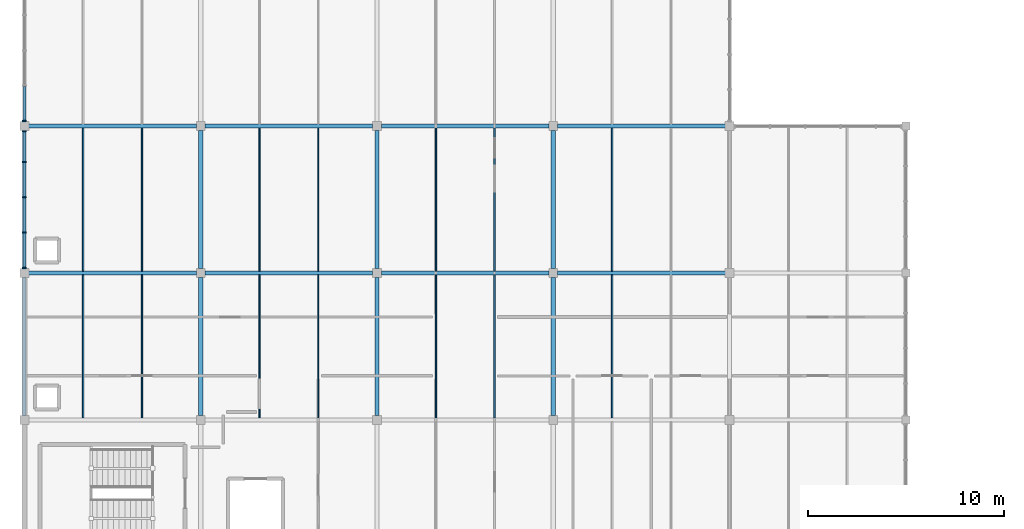
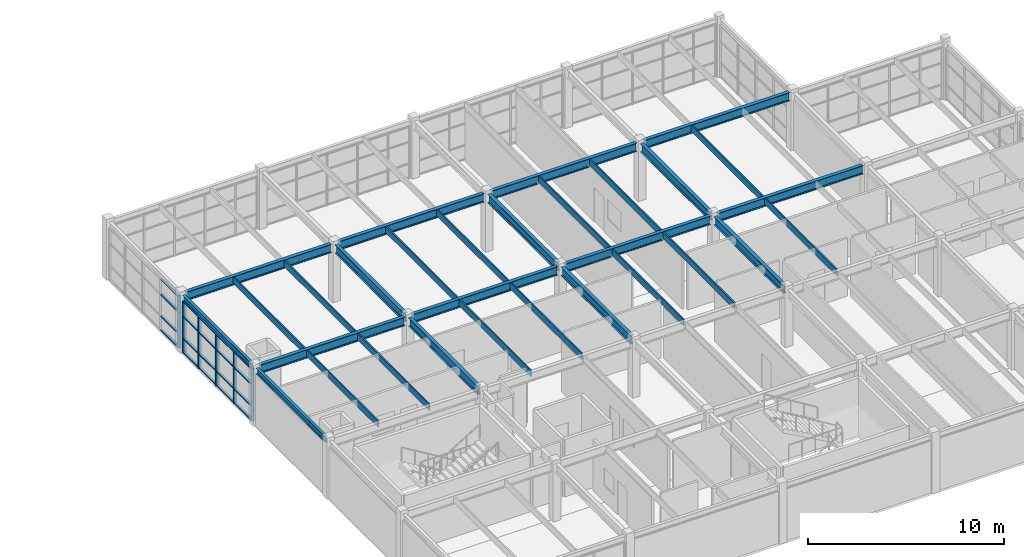
# One storey, part 4 of 81: 30 beams, 26 members, 2 elements without a shape of their own.
"""IFC4 building model written with IfcOpenShell, lengths in metres."""

import ifcopenshell
import ifcopenshell.guid

model = None  # the IFC model being written
_history = None  # IfcOwnerHistory: only IFC2X3 demands one
_inside = {}  # id of a spatial element -> (the spatial element, [elements in it])
_under = {}  # id of a project, library or spatial element -> (it, [spatial elements below it])
_declared = {}  # id of a project -> (the project, [libraries it declares])
_typed = {}  # id of a type object -> (the type object, [elements of that type])
_made_of = {}  # id of a material, layer set ... -> (it, [elements and type objects made of it])


def new_model(schema):
    """Start an empty IFC model of exactly this schema.

    Asked for "IFC4X3", IfcOpenShell would pick the latest addendum, in which some entities
    have other attributes; the version numbers below select the first issue.
    IFC2X3 requires an IfcOwnerHistory on every rooted entity: one is made here for all.
    """
    global model, _history
    if schema == "IFC4X3":
        model = ifcopenshell.file(schema_version=(4, 3, 0, 0))
    else:
        model = ifcopenshell.file(schema=schema)
    _inside.clear()
    _under.clear()
    _declared.clear()
    _typed.clear()
    _made_of.clear()
    _history = None
    if model.schema == "IFC2X3":
        org = make("IfcOrganization", Name="unknown")
        user = make(
            "IfcPersonAndOrganization",
            ThePerson=make("IfcPerson", FamilyName="unknown"),
            TheOrganization=org,
        )
        app = make(
            "IfcApplication",
            ApplicationDeveloper=org,
            Version="unknown",
            ApplicationFullName="unknown",
            ApplicationIdentifier="unknown",
        )
        _history = make(
            "IfcOwnerHistory",
            OwningUser=user,
            OwningApplication=app,
            ChangeAction="ADDED",
            CreationDate=0,
        )
    return model


def make(cls, **values):
    """One entity of the class cls with the attributes given. An attribute that is None is left unset."""
    return model.create_entity(
        cls, **{name: value for name, value in values.items() if value is not None}
    )


def rooted(cls, **values):
    """An entity with a GlobalId (a new one), such as an element, a storey or a relation."""
    return make(cls, GlobalId=ifcopenshell.guid.new(), OwnerHistory=_history, **values)


def si_unit(unit_type, name, prefix=None):
    """IfcSIUnit, for example si_unit("LENGTHUNIT", "METRE", prefix="MILLI")."""
    return make("IfcSIUnit", UnitType=unit_type, Prefix=prefix, Name=name)


def assignment(units):
    """IfcUnitAssignment: the units of a project."""
    return None if units is None else make("IfcUnitAssignment", Units=units)


def point(xyz):
    """IfcCartesianPoint."""
    return None if xyz is None else make("IfcCartesianPoint", Coordinates=xyz)


def direction(xyz):
    """IfcDirection."""
    return None if xyz is None else make("IfcDirection", DirectionRatios=xyz)


def frame(location, z_axis=None, x_axis=None):
    """IfcAxis2Placement3D, a coordinate frame: its origin and axes. An axis left out is left unset."""
    return make(
        "IfcAxis2Placement3D",
        Location=point(location),
        Axis=direction(z_axis),
        RefDirection=direction(x_axis),
    )


def frame_2d(location, x_axis=None):
    """IfcAxis2Placement2D, a coordinate frame in the plane: its origin and x axis."""
    return make(
        "IfcAxis2Placement2D", Location=point(location), RefDirection=direction(x_axis)
    )


def origin():
    """The frame at (0, 0, 0) with its axes left unset."""
    return frame((0.0, 0.0, 0.0))


def origin_2d():
    """The frame at (0, 0) in the plane with its x axis left unset."""
    return frame_2d((0.0, 0.0))


def place(relative_to, where):
    """IfcLocalPlacement: puts the frame where relative to a parent placement (None: the world)."""
    return make(
        "IfcLocalPlacement", PlacementRelTo=relative_to, RelativePlacement=where
    )


def context(
    kind, dimensions, precision=None, world=None, true_north=None, identifier=None
):
    """IfcGeometricRepresentationContext, for example the 3D "Model" context."""
    return make(
        "IfcGeometricRepresentationContext",
        ContextIdentifier=identifier,
        ContextType=kind,
        CoordinateSpaceDimension=dimensions,
        Precision=precision,
        WorldCoordinateSystem=world,
        TrueNorth=true_north,
    )


def subcontext(parent, identifier, kind, view, scale=None):
    """IfcGeometricRepresentationSubContext, for example "Body" below "Model"."""
    return make(
        "IfcGeometricRepresentationSubContext",
        ContextIdentifier=identifier,
        ContextType=kind,
        ParentContext=parent,
        TargetScale=scale,
        TargetView=view,
    )


def project(units=None, contexts=None):
    """IfcProject with its units and contexts."""
    return rooted(
        "IfcProject",
        Name="project",
        RepresentationContexts=contexts,
        UnitsInContext=assignment(units),
    )


def spatial(cls, under=None, at=None, **own):
    """A site, building, storey or space (cls), placed at a placement, below another one or the project."""
    s = rooted(cls, ObjectPlacement=at, **own)
    if under is not None:
        _under.setdefault(under.id(), (under, []))[1].append(s)
    return s


def profile(cls, at=None, kind="AREA", **sizes):
    """A parametric profile (cls). Its sizes go by their IFC names, for example OverallWidth=200.0."""
    return make(cls, ProfileType=kind, Position=at, **sizes)


def rectangle(**sizes):
    """IfcRectangleProfileDef."""
    return profile("IfcRectangleProfileDef", **sizes)


def i_section(**sizes):
    """IfcIShapeProfileDef."""
    return profile("IfcIShapeProfileDef", **sizes)


def extrude(swept, where, along, depth):
    """IfcExtrudedAreaSolid: the profile swept, set in the frame where, extruded along a direction by depth."""
    return make(
        "IfcExtrudedAreaSolid",
        SweptArea=swept,
        Position=where,
        ExtrudedDirection=direction(along),
        Depth=depth,
    )


def shape(context_of_items, identifier, shape_type, items):
    """IfcShapeRepresentation: the items that make up one representation, for example the "Body"."""
    return make(
        "IfcShapeRepresentation",
        ContextOfItems=context_of_items,
        RepresentationIdentifier=identifier,
        RepresentationType=shape_type,
        Items=items,
    )


def material(Name=None, Category=None):
    """IfcMaterial."""
    return make("IfcMaterial", Name=Name, Category=Category)


def layer(
    of_material, thickness, ventilated=None, Name=None, Category=None, Priority=None
):
    """IfcMaterialLayer: one layer of a wall or slab, of a material (None: an air gap)."""
    return make(
        "IfcMaterialLayer",
        Material=of_material,
        LayerThickness=thickness,
        IsVentilated=ventilated,
        Name=Name,
        Category=Category,
        Priority=Priority,
    )


def layer_set(layers, Name=None):
    """IfcMaterialLayerSet."""
    return make("IfcMaterialLayerSet", MaterialLayers=layers, LayerSetName=Name)


def material_profile(
    of_material, cross_section, Name=None, Category=None, Priority=None
):
    """IfcMaterialProfile: a cross section and its material."""
    return make(
        "IfcMaterialProfile",
        Name=Name,
        Material=of_material,
        Profile=cross_section,
        Priority=Priority,
        Category=Category,
    )


def profile_set(profiles, Name=None, composite=None):
    """IfcMaterialProfileSet."""
    return make(
        "IfcMaterialProfileSet",
        Name=Name,
        MaterialProfiles=profiles,
        CompositeProfile=composite,
    )


def made_of(thing, what):
    """Note that an element or type object is made of a material, layer set ...; save() writes the relation."""
    if what is not None:
        _made_of.setdefault(what.id(), (what, []))[1].append(thing)
    return thing


def type_object(cls, material=None, **own):
    """A type object (cls), such as IfcWallType, which elements share."""
    return made_of(rooted(cls, **own), material)


def element(
    cls,
    number,
    at=None,
    inside=None,
    cuts=None,
    type_object=None,
    material=None,
    context=None,
    identifier="Body",
    shape_type=None,
    held_by="IfcProductDefinitionShape",
    body=None,
    shapes=None,
    **own,
):
    """One element of the class cls, such as IfcWall. Its Tag is "e" and its number.

    at: its placement. inside: the storey or other place that contains it. cuts: it is an
    opening in that element (IfcRelVoidsElement). A single representation is given by context,
    identifier, shape_type and body (its items); several are given by shapes. held_by: the class
    of the entity that holds the representations. save() writes the other relations.
    """
    e = rooted(cls, Tag="e%d" % number, ObjectPlacement=at, **own)
    if body is not None:
        shapes = [shape(context, identifier, shape_type, body)]
    if shapes is not None:
        e.Representation = make(held_by, Representations=shapes)
    if inside is not None:
        _inside.setdefault(inside.id(), (inside, []))[1].append(e)
    if cuts is not None:
        rooted(
            "IfcRelVoidsElement", RelatingBuildingElement=cuts, RelatedOpeningElement=e
        )
    if type_object is not None:
        _typed.setdefault(type_object.id(), (type_object, []))[1].append(e)
    return made_of(e, material)


def aggregate(whole, parts):
    """IfcRelAggregates: a whole, such as a stair, and the parts it consists of."""
    return rooted("IfcRelAggregates", RelatingObject=whole, RelatedObjects=parts)


def save(model, path):
    """Write the relations noted so far, then the file.

    IfcRelAggregates (storeys below a building ...), IfcRelContainedInSpatialStructure (elements
    in a storey), IfcRelDefinesByType, IfcRelAssociatesMaterial and IfcRelDeclares: one each for
    every whole, place, type object, material and project.
    """
    for whole, parts in _under.values():
        aggregate(whole, parts)
    for where, things in _inside.values():
        rooted(
            "IfcRelContainedInSpatialStructure",
            RelatedElements=things,
            RelatingStructure=where,
        )
    for kind, things in _typed.values():
        rooted("IfcRelDefinesByType", RelatedObjects=things, RelatingType=kind)
    for what, things in _made_of.values():
        rooted("IfcRelAssociatesMaterial", RelatedObjects=things, RelatingMaterial=what)
    for by, libraries in _declared.values():
        rooted("IfcRelDeclares", RelatingContext=by, RelatedDefinitions=libraries)
    model.write(path)


model = new_model("IFC4")

# Units and contexts
model_context = context("Model", 3, precision=1e-05, world=origin(), true_north=direction((0.0, 1.0)))
body_context = subcontext(model_context, "Body", "Model", "MODEL_VIEW")
ifc_project = project(units=[si_unit("LENGTHUNIT", "METRE"), si_unit("AREAUNIT", "SQUARE_METRE"), si_unit("VOLUMEUNIT", "CUBIC_METRE"), si_unit("PLANEANGLEUNIT", "RADIAN"), si_unit("MASSUNIT", "GRAM", prefix="KILO")], contexts=[model_context])

# Site, building, storey
site_placement = place(None, origin())
site = spatial("IfcSite", under=ifc_project, at=site_placement, CompositionType="ELEMENT")
building_placement = place(site_placement, origin())
building = spatial("IfcBuilding", under=site, at=building_placement, Name="Marnridge Secondary College", CompositionType="ELEMENT")
storey_placement = place(building_placement, frame((0.0, 0.0, 8.5)))
storey = spatial("IfcBuildingStorey", under=building, at=storey_placement, Name="L02", CompositionType="ELEMENT", Elevation=8.5)

# Beams
ifc_material_1 = material(Name="Engineered timber LVL E13.2", Category="wood")
ifc_material_profile_1 = material_profile(ifc_material_1, rectangle(XDim=0.074951171875, YDim=0.39990234375, at=origin_2d()), Name="LVL 75x400")
ifc_profile_set_1 = profile_set([ifc_material_profile_1], Name="Engineered timber LVL E13.2")
beam_type_1 = type_object("IfcBeamType", Name="BM-LVL400-INT", PredefinedType="JOIST", material=ifc_profile_set_1)
for number, where, z_axis, x_axis, name in (
    (1, (3.0, 15.0986328125, 3.389892578125), (0.0, 1.0, 0.0), (-1.0, 0.0, 0.0), "Beam BJ-L02-1001"),
    (2, (6.0, 15.0986328125, 3.389892578125), (0.0, 1.0, 0.0), (-1.0, 0.0, 0.0), "Beam BJ-L02-1002"),
    (3, (3.0, 22.5986328125, 3.389892578125), (0.0, 1.0, 0.0), (-1.0, 0.0, 0.0), "Beam BJ-L02-1003"),
    (4, (6.0, 22.5986328125, 3.389892578125), (0.0, 1.0, 0.0), (-1.0, 0.0, 0.0), "Beam BJ-L02-1004"),
    (5, (12.0, 15.0986328125, 3.389892578125), (0.0, 1.0, 0.0), (-1.0, 0.0, 0.0), "Beam BJ-L02-1008"),
    (6, (15.0, 15.0986328125, 3.389892578125), (0.0, 1.0, 0.0), (-1.0, 0.0, 0.0), "Beam BJ-L02-1009"),
    (7, (12.0, 22.5986328125, 3.389892578125), (0.0, 1.0, 0.0), (-1.0, 0.0, 0.0), "Beam BJ-L02-1010"),
    (8, (15.0, 22.5986328125, 3.389892578125), (0.0, 1.0, 0.0), (-1.0, 0.0, 0.0), "Beam BJ-L02-1011"),
    (9, (21.0, 15.0986328125, 3.389892578125), (0.0, 1.0, 0.0), (-1.0, 0.0, 0.0), "Beam BJ-L02-1014"),
    (10, (24.0, 15.0986328125, 3.389892578125), (0.0, 1.0, 0.0), (-1.0, 0.0, 0.0), "Beam BJ-L02-1015"),
    (11, (21.0, 22.5986328125, 3.389892578125), (0.0, 1.0, 0.0), (-1.0, 0.0, 0.0), "Beam BJ-L02-1016"),
    (12, (24.0, 22.5986328125, 3.389892578125), (0.0, 1.0, 0.0), (-1.0, 0.0, 0.0), "Beam BJ-L02-1017"),
    (13, (30.0, 15.0986328125, 3.389892578125), (0.0, 1.0, 0.0), (-1.0, 0.0, 0.0), "Beam BJ-L02-1022"),
    (14, (30.0, 22.5986328125, 3.389892578125), (0.0, 1.0, 0.0), (-1.0, 0.0, 0.0), "Beam BJ-L02-1024"),
):
    element("IfcBeam", number, at=place(storey_placement, frame(where, z_axis=z_axis, x_axis=x_axis)), inside=storey, type_object=beam_type_1, Name=name, PredefinedType="JOIST", context=body_context, shape_type="SweptSolid", body=[
        extrude(rectangle(XDim=0.074951171875, YDim=0.39990234375, at=origin_2d()), origin(), (0.0, 0.0, 1.0), 7.302734375),
    ])
ifc_material_2 = material(Name="Structural steel Grade 350 (AS/NZS 3679.1/.2, fy = 340-360 MPa)", Category="steel")
ifc_material_profile_2 = material_profile(ifc_material_2, i_section(OverallWidth=0.1708984375, OverallDepth=0.35205078125, WebThickness=0.0068359375, FlangeThickness=0.009765625, FilletRadius=0.011474609375, at=origin_2d()), Name="360UB44.7")
ifc_profile_set_2 = profile_set([ifc_material_profile_2], Name="Structural steel Grade 350 (AS/NZS 3679.1/.2, fy = 340-360 MPa)")
beam_type_2 = type_object("IfcBeamType", Name="BM-UB360-EXT", PredefinedType="SPANDREL", material=ifc_profile_set_2)
for number, where, z_axis, x_axis, name in (
    (15, (0.0, 15.218994140625, 3.4140625), (0.0, 1.0, 0.0), (-1.0, 0.0, 0.0), "Beam BS-L02-0949"),
    (16, (0.0, 22.718994140625, 3.4140625), (0.0, 1.0, 0.0), (-1.0, 0.0, 0.0), "Beam BS-L02-0952"),
):
    element("IfcBeam", number, at=place(storey_placement, frame(where, z_axis=z_axis, x_axis=x_axis)), inside=storey, type_object=beam_type_2, Name=name, PredefinedType="SPANDREL", context=body_context, shape_type="SweptSolid", body=[
        extrude(i_section(OverallWidth=0.1708984375, OverallDepth=0.35205078125, WebThickness=0.0068359375, FlangeThickness=0.009765625, FilletRadius=0.011474609375, at=origin_2d()), origin(), (0.0, 0.0, 1.0), 7.06201171875),
    ])
ifc_material_3 = material(Name="Structural steel Grade 350 (AS/NZS 3679.1/.2, fy = 340-360 MPa)", Category="steel")
ifc_material_profile_3 = material_profile(ifc_material_3, i_section(OverallWidth=0.209228515625, OverallDepth=0.532958984375, WebThickness=0.01025390625, FlangeThickness=0.015625, FilletRadius=0.013916015625, at=origin_2d()), Name="530UB92.4")
ifc_profile_set_3 = profile_set([ifc_material_profile_3], Name="Structural steel Grade 350 (AS/NZS 3679.1/.2, fy = 340-360 MPa)")
beam_type_3 = type_object("IfcBeamType", Name="BM-UB530A-INT", PredefinedType="BEAM", material=ifc_profile_set_3)
beam_1_placement = place(storey_placement, frame((0.218994140625, 22.5, 3.323486328125), z_axis=(1.0, 0.0, 0.0), x_axis=(0.0, 1.0, 0.0)))
element("IfcBeam", 17, at=beam_1_placement, inside=storey, type_object=beam_type_3, Name="Beam B-L02-0948", PredefinedType="BEAM", context=body_context, shape_type="SweptSolid", body=[
    extrude(i_section(OverallWidth=0.209228515625, OverallDepth=0.532958984375, WebThickness=0.01025390625, FlangeThickness=0.015625, FilletRadius=0.013916015625, at=origin_2d()), origin(), (0.0, 0.0, 1.0), 8.56201171875),
])
beam_2_placement = place(storey_placement, frame((9.0, 15.218994140625, 3.323486328125), z_axis=(0.0, 1.0, 0.0), x_axis=(-1.0, 0.0, 0.0)))
element("IfcBeam", 18, at=beam_2_placement, inside=storey, type_object=beam_type_3, Name="Beam B-L02-0950", PredefinedType="BEAM", context=body_context, shape_type="SweptSolid", body=[
    extrude(i_section(OverallWidth=0.209228515625, OverallDepth=0.532958984375, WebThickness=0.01025390625, FlangeThickness=0.015625, FilletRadius=0.013916015625, at=origin_2d()), origin(), (0.0, 0.0, 1.0), 7.06201171875),
])
beam_3_placement = place(storey_placement, frame((0.218994140625, 30.0, 3.323486328125), z_axis=(1.0, 0.0, 0.0), x_axis=(0.0, 1.0, 0.0)))
element("IfcBeam", 19, at=beam_3_placement, inside=storey, type_object=beam_type_3, Name="Beam B-L02-0951", PredefinedType="BEAM", context=body_context, shape_type="SweptSolid", body=[
    extrude(i_section(OverallWidth=0.209228515625, OverallDepth=0.532958984375, WebThickness=0.01025390625, FlangeThickness=0.015625, FilletRadius=0.013916015625, at=origin_2d()), origin(), (0.0, 0.0, 1.0), 8.56201171875),
])
beam_4_placement = place(storey_placement, frame((9.0, 22.718994140625, 3.323486328125), z_axis=(0.0, 1.0, 0.0), x_axis=(-1.0, 0.0, 0.0)))
element("IfcBeam", 20, at=beam_4_placement, inside=storey, type_object=beam_type_3, Name="Beam B-L02-0953", PredefinedType="BEAM", context=body_context, shape_type="SweptSolid", body=[
    extrude(i_section(OverallWidth=0.209228515625, OverallDepth=0.532958984375, WebThickness=0.01025390625, FlangeThickness=0.015625, FilletRadius=0.013916015625, at=origin_2d()), origin(), (0.0, 0.0, 1.0), 7.06201171875),
])
beam_5_placement = place(storey_placement, frame((9.218994140625, 22.5, 3.323486328125), z_axis=(1.0, 0.0, 0.0), x_axis=(0.0, 1.0, 0.0)))
element("IfcBeam", 21, at=beam_5_placement, inside=storey, type_object=beam_type_3, Name="Beam B-L02-0959", PredefinedType="BEAM", context=body_context, shape_type="SweptSolid", body=[
    extrude(i_section(OverallWidth=0.209228515625, OverallDepth=0.532958984375, WebThickness=0.01025390625, FlangeThickness=0.015625, FilletRadius=0.013916015625, at=origin_2d()), origin(), (0.0, 0.0, 1.0), 8.56201171875),
])
beam_6_placement = place(storey_placement, frame((18.0, 15.218994140625, 3.323486328125), z_axis=(0.0, 1.0, 0.0), x_axis=(-1.0, 0.0, 0.0)))
element("IfcBeam", 22, at=beam_6_placement, inside=storey, type_object=beam_type_3, Name="Beam B-L02-0960", PredefinedType="BEAM", context=body_context, shape_type="SweptSolid", body=[
    extrude(i_section(OverallWidth=0.209228515625, OverallDepth=0.532958984375, WebThickness=0.01025390625, FlangeThickness=0.015625, FilletRadius=0.013916015625, at=origin_2d()), origin(), (0.0, 0.0, 1.0), 7.06201171875),
])
beam_7_placement = place(storey_placement, frame((9.218994140625, 30.0, 3.323486328125), z_axis=(1.0, 0.0, 0.0), x_axis=(0.0, 1.0, 0.0)))
element("IfcBeam", 23, at=beam_7_placement, inside=storey, type_object=beam_type_3, Name="Beam B-L02-0961", PredefinedType="BEAM", context=body_context, shape_type="SweptSolid", body=[
    extrude(i_section(OverallWidth=0.209228515625, OverallDepth=0.532958984375, WebThickness=0.01025390625, FlangeThickness=0.015625, FilletRadius=0.013916015625, at=origin_2d()), origin(), (0.0, 0.0, 1.0), 8.56201171875),
])
beam_8_placement = place(storey_placement, frame((18.0, 22.718994140625, 3.323486328125), z_axis=(0.0, 1.0, 0.0), x_axis=(-1.0, 0.0, 0.0)))
element("IfcBeam", 24, at=beam_8_placement, inside=storey, type_object=beam_type_3, Name="Beam B-L02-0962", PredefinedType="BEAM", context=body_context, shape_type="SweptSolid", body=[
    extrude(i_section(OverallWidth=0.209228515625, OverallDepth=0.532958984375, WebThickness=0.01025390625, FlangeThickness=0.015625, FilletRadius=0.013916015625, at=origin_2d()), origin(), (0.0, 0.0, 1.0), 7.06201171875),
])
beam_9_placement = place(storey_placement, frame((18.218994140625, 22.5, 3.323486328125), z_axis=(1.0, 0.0, 0.0), x_axis=(0.0, 1.0, 0.0)))
element("IfcBeam", 25, at=beam_9_placement, inside=storey, type_object=beam_type_3, Name="Beam B-L02-0968", PredefinedType="BEAM", context=body_context, shape_type="SweptSolid", body=[
    extrude(i_section(OverallWidth=0.209228515625, OverallDepth=0.532958984375, WebThickness=0.01025390625, FlangeThickness=0.015625, FilletRadius=0.013916015625, at=origin_2d()), origin(), (0.0, 0.0, 1.0), 8.56201171875),
])
beam_10_placement = place(storey_placement, frame((27.0, 15.218994140625, 3.323486328125), z_axis=(0.0, 1.0, 0.0), x_axis=(-1.0, 0.0, 0.0)))
element("IfcBeam", 26, at=beam_10_placement, inside=storey, type_object=beam_type_3, Name="Beam B-L02-0969", PredefinedType="BEAM", context=body_context, shape_type="SweptSolid", body=[
    extrude(i_section(OverallWidth=0.209228515625, OverallDepth=0.532958984375, WebThickness=0.01025390625, FlangeThickness=0.015625, FilletRadius=0.013916015625, at=origin_2d()), origin(), (0.0, 0.0, 1.0), 7.06201171875),
])
beam_11_placement = place(storey_placement, frame((18.218994140625, 30.0, 3.323486328125), z_axis=(1.0, 0.0, 0.0), x_axis=(0.0, 1.0, 0.0)))
element("IfcBeam", 27, at=beam_11_placement, inside=storey, type_object=beam_type_3, Name="Beam B-L02-0970", PredefinedType="BEAM", context=body_context, shape_type="SweptSolid", body=[
    extrude(i_section(OverallWidth=0.209228515625, OverallDepth=0.532958984375, WebThickness=0.01025390625, FlangeThickness=0.015625, FilletRadius=0.013916015625, at=origin_2d()), origin(), (0.0, 0.0, 1.0), 8.56201171875),
])
beam_12_placement = place(storey_placement, frame((27.0, 22.718994140625, 3.323486328125), z_axis=(0.0, 1.0, 0.0), x_axis=(-1.0, 0.0, 0.0)))
element("IfcBeam", 28, at=beam_12_placement, inside=storey, type_object=beam_type_3, Name="Beam B-L02-0971", PredefinedType="BEAM", context=body_context, shape_type="SweptSolid", body=[
    extrude(i_section(OverallWidth=0.209228515625, OverallDepth=0.532958984375, WebThickness=0.01025390625, FlangeThickness=0.015625, FilletRadius=0.013916015625, at=origin_2d()), origin(), (0.0, 0.0, 1.0), 7.06201171875),
])
for number, where, z_axis, x_axis, name in (
    (29, (27.218994140625, 22.5, 3.323486328125), (1.0, 0.0, 0.0), (0.0, 1.0, 0.0), "Beam B-L02-0977"),
    (30, (27.218994140625, 30.0, 3.323486328125), (1.0, 0.0, 0.0), (0.0, 1.0, 0.0), "Beam B-L02-0979"),
):
    element("IfcBeam", number, at=place(storey_placement, frame(where, z_axis=z_axis, x_axis=x_axis)), inside=storey, type_object=beam_type_3, Name=name, PredefinedType="BEAM", context=body_context, shape_type="SweptSolid", body=[
        extrude(i_section(OverallWidth=0.209228515625, OverallDepth=0.532958984375, WebThickness=0.01025390625, FlangeThickness=0.015625, FilletRadius=0.013916015625, at=origin_2d()), origin(), (0.0, 0.0, 1.0), 8.56201171875),
    ])

# Curtain wall, members
ifc_material_4 = material(Name="Bronze-anodised aluminium and solar-control glazing", Category="aluminium")
ifc_layer = layer(ifc_material_4, 0.199951171875)
ifc_layer_set = layer_set([ifc_layer], Name="CW-MOD-1800")
curtain_wall_type = type_object("IfcCurtainWallType", Name="CW-MOD-1800", PredefinedType="NOTDEFINED", material=ifc_layer_set)
curtain_wall_1_placement = place(storey_placement, origin())
curtain_wall_1 = element("IfcCurtainWall", 31, at=curtain_wall_1_placement, inside=storey, type_object=curtain_wall_type, Name="Unitised curtain wall CW-L02-112", PredefinedType="NOTDEFINED")
ifc_material_5 = material(Name="Bronze-anodised aluminium 6063-T6", Category="aluminium")
ifc_material_profile_4 = material_profile(ifc_material_5, rectangle(XDim=0.070068359375, YDim=0.199951171875, at=origin_2d()), Name="ALU 70x200")
ifc_profile_set_4 = profile_set([ifc_material_profile_4], Name="Bronze-anodised aluminium 6063-T6")
member_type_1 = type_object("IfcMemberType", Name="CWM-ALU200", PredefinedType="MULLION", material=ifc_profile_set_4)
member_1_placement = place(storey_placement, frame((0.0, 22.763916015625, 0.0), z_axis=(0.0, 0.0, 1.0), x_axis=(0.0, 1.0, 0.0)))
member_1 = element("IfcMember", 32, at=member_1_placement, type_object=member_type_1, Name="CW-L02-112 mullion 1", PredefinedType="MULLION", context=body_context, shape_type="SweptSolid", body=[
    extrude(rectangle(XDim=0.070068359375, YDim=0.199951171875, at=origin_2d()), origin(), (0.0, 0.0, 1.0), 3.22998046875),
])
member_2_placement = place(storey_placement, frame((0.0, 24.56396484375, 0.0), z_axis=(0.0, 0.0, 1.0), x_axis=(0.0, 1.0, 0.0)))
member_2 = element("IfcMember", 33, at=member_2_placement, type_object=member_type_1, Name="CW-L02-112 mullion 2", PredefinedType="MULLION", context=body_context, shape_type="SweptSolid", body=[
    extrude(rectangle(XDim=0.070068359375, YDim=0.199951171875, at=origin_2d()), origin(), (0.0, 0.0, 1.0), 3.22998046875),
])
member_3_placement = place(storey_placement, frame((0.0, 26.364013671875, 0.0), z_axis=(0.0, 0.0, 1.0), x_axis=(0.0, 1.0, 0.0)))
member_3 = element("IfcMember", 34, at=member_3_placement, type_object=member_type_1, Name="CW-L02-112 mullion 3", PredefinedType="MULLION", context=body_context, shape_type="SweptSolid", body=[
    extrude(rectangle(XDim=0.070068359375, YDim=0.199951171875, at=origin_2d()), origin(), (0.0, 0.0, 1.0), 3.22998046875),
])
member_4_placement = place(storey_placement, frame((0.0, 28.1640625, 0.0), z_axis=(0.0, 0.0, 1.0), x_axis=(0.0, 1.0, 0.0)))
member_4 = element("IfcMember", 35, at=member_4_placement, type_object=member_type_1, Name="CW-L02-112 mullion 4", PredefinedType="MULLION", context=body_context, shape_type="SweptSolid", body=[
    extrude(rectangle(XDim=0.070068359375, YDim=0.199951171875, at=origin_2d()), origin(), (0.0, 0.0, 1.0), 3.22998046875),
])
member_5_placement = place(storey_placement, frame((0.0, 29.736083984375, 0.0), z_axis=(0.0, 0.0, 1.0), x_axis=(0.0, 1.0, 0.0)))
member_5 = element("IfcMember", 36, at=member_5_placement, type_object=member_type_1, Name="CW-L02-112 mullion 5", PredefinedType="MULLION", context=body_context, shape_type="SweptSolid", body=[
    extrude(rectangle(XDim=0.070068359375, YDim=0.199951171875, at=origin_2d()), origin(), (0.0, 0.0, 1.0), 3.22998046875),
])

# Curtain wall, member
curtain_wall_2_placement = place(storey_placement, origin())
curtain_wall_2 = element("IfcCurtainWall", 37, at=curtain_wall_2_placement, inside=storey, type_object=curtain_wall_type, Name="Unitised curtain wall CW-L02-113", PredefinedType="NOTDEFINED")
member_6_placement = place(storey_placement, frame((0.0, 30.263916015625, 0.0), z_axis=(0.0, 0.0, 1.0), x_axis=(0.0, 1.0, 0.0)))
member_6 = element("IfcMember", 38, at=member_6_placement, type_object=member_type_1, Name="CW-L02-113 mullion 1", PredefinedType="MULLION", context=body_context, shape_type="SweptSolid", body=[
    extrude(rectangle(XDim=0.070068359375, YDim=0.199951171875, at=origin_2d()), origin(), (0.0, 0.0, 1.0), 3.22998046875),
])

# Member
ifc_material_6 = material(Name="Anodised aluminium 6063-T6", Category="aluminium")
ifc_material_profile_5 = material_profile(ifc_material_6, rectangle(XDim=0.06494140625, YDim=0.139892578125, at=origin_2d()), Name="ALU 65x140")
ifc_profile_set_5 = profile_set([ifc_material_profile_5], Name="Anodised aluminium 6063-T6")
member_type_2 = type_object("IfcMemberType", Name="CWT-ALU140", PredefinedType="USERDEFINED", material=ifc_profile_set_5)
member_7_placement = place(storey_placement, frame((0.0, 22.799072265625, 0.032470703125), z_axis=(0.0, 1.0, 0.0), x_axis=(0.0, 0.0, 1.0)))
member_7 = element("IfcMember", 39, at=member_7_placement, type_object=member_type_2, Name="CW-L02-112 transom 1.1", ObjectType="TRANSOM", PredefinedType="USERDEFINED", context=body_context, shape_type="SweptSolid", body=[
    extrude(rectangle(XDim=0.06494140625, YDim=0.139892578125, at=origin_2d()), origin(), (0.0, 0.0, 1.0), 1.72998046875),
])

member_8_placement = place(storey_placement, frame((0.0, 22.799072265625, 0.89990234375), z_axis=(0.0, 1.0, 0.0), x_axis=(0.0, 0.0, 1.0)))
member_8 = element("IfcMember", 40, at=member_8_placement, type_object=member_type_2, Name="CW-L02-112 transom 1.2", ObjectType="TRANSOM", PredefinedType="USERDEFINED", context=body_context, shape_type="SweptSolid", body=[
    extrude(rectangle(XDim=0.06494140625, YDim=0.139892578125, at=origin_2d()), origin(), (0.0, 0.0, 1.0), 1.72998046875),
])

member_9_placement = place(storey_placement, frame((0.0, 22.799072265625, 2.25), z_axis=(0.0, 1.0, 0.0), x_axis=(0.0, 0.0, 1.0)))
member_9 = element("IfcMember", 41, at=member_9_placement, type_object=member_type_2, Name="CW-L02-112 transom 1.3", ObjectType="TRANSOM", PredefinedType="USERDEFINED", context=body_context, shape_type="SweptSolid", body=[
    extrude(rectangle(XDim=0.06494140625, YDim=0.139892578125, at=origin_2d()), origin(), (0.0, 0.0, 1.0), 1.72998046875),
])

member_10_placement = place(storey_placement, frame((0.0, 22.799072265625, 3.197509765625), z_axis=(0.0, 1.0, 0.0), x_axis=(0.0, 0.0, 1.0)))
member_10 = element("IfcMember", 42, at=member_10_placement, type_object=member_type_2, Name="CW-L02-112 transom 1.4", ObjectType="TRANSOM", PredefinedType="USERDEFINED", context=body_context, shape_type="SweptSolid", body=[
    extrude(rectangle(XDim=0.06494140625, YDim=0.139892578125, at=origin_2d()), origin(), (0.0, 0.0, 1.0), 1.72998046875),
])

member_11_placement = place(storey_placement, frame((0.0, 24.59912109375, 0.032470703125), z_axis=(0.0, 1.0, 0.0), x_axis=(0.0, 0.0, 1.0)))
member_11 = element("IfcMember", 43, at=member_11_placement, type_object=member_type_2, Name="CW-L02-112 transom 2.1", ObjectType="TRANSOM", PredefinedType="USERDEFINED", context=body_context, shape_type="SweptSolid", body=[
    extrude(rectangle(XDim=0.06494140625, YDim=0.139892578125, at=origin_2d()), origin(), (0.0, 0.0, 1.0), 1.72998046875),
])

member_12_placement = place(storey_placement, frame((0.0, 24.59912109375, 0.89990234375), z_axis=(0.0, 1.0, 0.0), x_axis=(0.0, 0.0, 1.0)))
member_12 = element("IfcMember", 44, at=member_12_placement, type_object=member_type_2, Name="CW-L02-112 transom 2.2", ObjectType="TRANSOM", PredefinedType="USERDEFINED", context=body_context, shape_type="SweptSolid", body=[
    extrude(rectangle(XDim=0.06494140625, YDim=0.139892578125, at=origin_2d()), origin(), (0.0, 0.0, 1.0), 1.72998046875),
])

member_13_placement = place(storey_placement, frame((0.0, 24.59912109375, 2.25), z_axis=(0.0, 1.0, 0.0), x_axis=(0.0, 0.0, 1.0)))
member_13 = element("IfcMember", 45, at=member_13_placement, type_object=member_type_2, Name="CW-L02-112 transom 2.3", ObjectType="TRANSOM", PredefinedType="USERDEFINED", context=body_context, shape_type="SweptSolid", body=[
    extrude(rectangle(XDim=0.06494140625, YDim=0.139892578125, at=origin_2d()), origin(), (0.0, 0.0, 1.0), 1.72998046875),
])

member_14_placement = place(storey_placement, frame((0.0, 24.59912109375, 3.197509765625), z_axis=(0.0, 1.0, 0.0), x_axis=(0.0, 0.0, 1.0)))
member_14 = element("IfcMember", 46, at=member_14_placement, type_object=member_type_2, Name="CW-L02-112 transom 2.4", ObjectType="TRANSOM", PredefinedType="USERDEFINED", context=body_context, shape_type="SweptSolid", body=[
    extrude(rectangle(XDim=0.06494140625, YDim=0.139892578125, at=origin_2d()), origin(), (0.0, 0.0, 1.0), 1.72998046875),
])

member_15_placement = place(storey_placement, frame((0.0, 26.39892578125, 0.032470703125), z_axis=(0.0, 1.0, 0.0), x_axis=(0.0, 0.0, 1.0)))
member_15 = element("IfcMember", 47, at=member_15_placement, type_object=member_type_2, Name="CW-L02-112 transom 3.1", ObjectType="TRANSOM", PredefinedType="USERDEFINED", context=body_context, shape_type="SweptSolid", body=[
    extrude(rectangle(XDim=0.06494140625, YDim=0.139892578125, at=origin_2d()), origin(), (0.0, 0.0, 1.0), 1.72998046875),
])

member_16_placement = place(storey_placement, frame((0.0, 26.39892578125, 0.89990234375), z_axis=(0.0, 1.0, 0.0), x_axis=(0.0, 0.0, 1.0)))
member_16 = element("IfcMember", 48, at=member_16_placement, type_object=member_type_2, Name="CW-L02-112 transom 3.2", ObjectType="TRANSOM", PredefinedType="USERDEFINED", context=body_context, shape_type="SweptSolid", body=[
    extrude(rectangle(XDim=0.06494140625, YDim=0.139892578125, at=origin_2d()), origin(), (0.0, 0.0, 1.0), 1.72998046875),
])

member_17_placement = place(storey_placement, frame((0.0, 26.39892578125, 2.25), z_axis=(0.0, 1.0, 0.0), x_axis=(0.0, 0.0, 1.0)))
member_17 = element("IfcMember", 49, at=member_17_placement, type_object=member_type_2, Name="CW-L02-112 transom 3.3", ObjectType="TRANSOM", PredefinedType="USERDEFINED", context=body_context, shape_type="SweptSolid", body=[
    extrude(rectangle(XDim=0.06494140625, YDim=0.139892578125, at=origin_2d()), origin(), (0.0, 0.0, 1.0), 1.72998046875),
])

member_18_placement = place(storey_placement, frame((0.0, 26.39892578125, 3.197509765625), z_axis=(0.0, 1.0, 0.0), x_axis=(0.0, 0.0, 1.0)))
member_18 = element("IfcMember", 50, at=member_18_placement, type_object=member_type_2, Name="CW-L02-112 transom 3.4", ObjectType="TRANSOM", PredefinedType="USERDEFINED", context=body_context, shape_type="SweptSolid", body=[
    extrude(rectangle(XDim=0.06494140625, YDim=0.139892578125, at=origin_2d()), origin(), (0.0, 0.0, 1.0), 1.72998046875),
])

member_19_placement = place(storey_placement, frame((0.0, 28.198974609375, 0.032470703125), z_axis=(0.0, 1.0, 0.0), x_axis=(0.0, 0.0, 1.0)))
member_19 = element("IfcMember", 51, at=member_19_placement, type_object=member_type_2, Name="CW-L02-112 transom 4.1", ObjectType="TRANSOM", PredefinedType="USERDEFINED", context=body_context, shape_type="SweptSolid", body=[
    extrude(rectangle(XDim=0.06494140625, YDim=0.139892578125, at=origin_2d()), origin(), (0.0, 0.0, 1.0), 1.501953125),
])

member_20_placement = place(storey_placement, frame((0.0, 28.198974609375, 0.89990234375), z_axis=(0.0, 1.0, 0.0), x_axis=(0.0, 0.0, 1.0)))
member_20 = element("IfcMember", 52, at=member_20_placement, type_object=member_type_2, Name="CW-L02-112 transom 4.2", ObjectType="TRANSOM", PredefinedType="USERDEFINED", context=body_context, shape_type="SweptSolid", body=[
    extrude(rectangle(XDim=0.06494140625, YDim=0.139892578125, at=origin_2d()), origin(), (0.0, 0.0, 1.0), 1.501953125),
])

member_21_placement = place(storey_placement, frame((0.0, 28.198974609375, 2.25), z_axis=(0.0, 1.0, 0.0), x_axis=(0.0, 0.0, 1.0)))
member_21 = element("IfcMember", 53, at=member_21_placement, type_object=member_type_2, Name="CW-L02-112 transom 4.3", ObjectType="TRANSOM", PredefinedType="USERDEFINED", context=body_context, shape_type="SweptSolid", body=[
    extrude(rectangle(XDim=0.06494140625, YDim=0.139892578125, at=origin_2d()), origin(), (0.0, 0.0, 1.0), 1.501953125),
])

member_22_placement = place(storey_placement, frame((0.0, 28.198974609375, 3.197509765625), z_axis=(0.0, 1.0, 0.0), x_axis=(0.0, 0.0, 1.0)))
member_22 = element("IfcMember", 54, at=member_22_placement, type_object=member_type_2, Name="CW-L02-112 transom 4.4", ObjectType="TRANSOM", PredefinedType="USERDEFINED", context=body_context, shape_type="SweptSolid", body=[
    extrude(rectangle(XDim=0.06494140625, YDim=0.139892578125, at=origin_2d()), origin(), (0.0, 0.0, 1.0), 1.501953125),
])

aggregate(curtain_wall_1, [member_1, member_2, member_3, member_4, member_5, member_7, member_8, member_9, member_10, member_11, member_12, member_13, member_14, member_15, member_16, member_17, member_18, member_19, member_20, member_21, member_22])

member_23_placement = place(storey_placement, frame((0.0, 30.299072265625, 0.032470703125), z_axis=(0.0, 1.0, 0.0), x_axis=(0.0, 0.0, 1.0)))
member_23 = element("IfcMember", 55, at=member_23_placement, type_object=member_type_2, Name="CW-L02-113 transom 1.1", ObjectType="TRANSOM", PredefinedType="USERDEFINED", context=body_context, shape_type="SweptSolid", body=[
    extrude(rectangle(XDim=0.06494140625, YDim=0.139892578125, at=origin_2d()), origin(), (0.0, 0.0, 1.0), 1.72998046875),
])

member_24_placement = place(storey_placement, frame((0.0, 30.299072265625, 0.89990234375), z_axis=(0.0, 1.0, 0.0), x_axis=(0.0, 0.0, 1.0)))
member_24 = element("IfcMember", 56, at=member_24_placement, type_object=member_type_2, Name="CW-L02-113 transom 1.2", ObjectType="TRANSOM", PredefinedType="USERDEFINED", context=body_context, shape_type="SweptSolid", body=[
    extrude(rectangle(XDim=0.06494140625, YDim=0.139892578125, at=origin_2d()), origin(), (0.0, 0.0, 1.0), 1.72998046875),
])

member_25_placement = place(storey_placement, frame((0.0, 30.299072265625, 2.25), z_axis=(0.0, 1.0, 0.0), x_axis=(0.0, 0.0, 1.0)))
member_25 = element("IfcMember", 57, at=member_25_placement, type_object=member_type_2, Name="CW-L02-113 transom 1.3", ObjectType="TRANSOM", PredefinedType="USERDEFINED", context=body_context, shape_type="SweptSolid", body=[
    extrude(rectangle(XDim=0.06494140625, YDim=0.139892578125, at=origin_2d()), origin(), (0.0, 0.0, 1.0), 1.72998046875),
])

member_26_placement = place(storey_placement, frame((0.0, 30.299072265625, 3.197509765625), z_axis=(0.0, 1.0, 0.0), x_axis=(0.0, 0.0, 1.0)))
member_26 = element("IfcMember", 58, at=member_26_placement, type_object=member_type_2, Name="CW-L02-113 transom 1.4", ObjectType="TRANSOM", PredefinedType="USERDEFINED", context=body_context, shape_type="SweptSolid", body=[
    extrude(rectangle(XDim=0.06494140625, YDim=0.139892578125, at=origin_2d()), origin(), (0.0, 0.0, 1.0), 1.72998046875),
])

aggregate(curtain_wall_2, [member_6, member_23, member_24, member_25, member_26])

save(model, "model.ifc")
